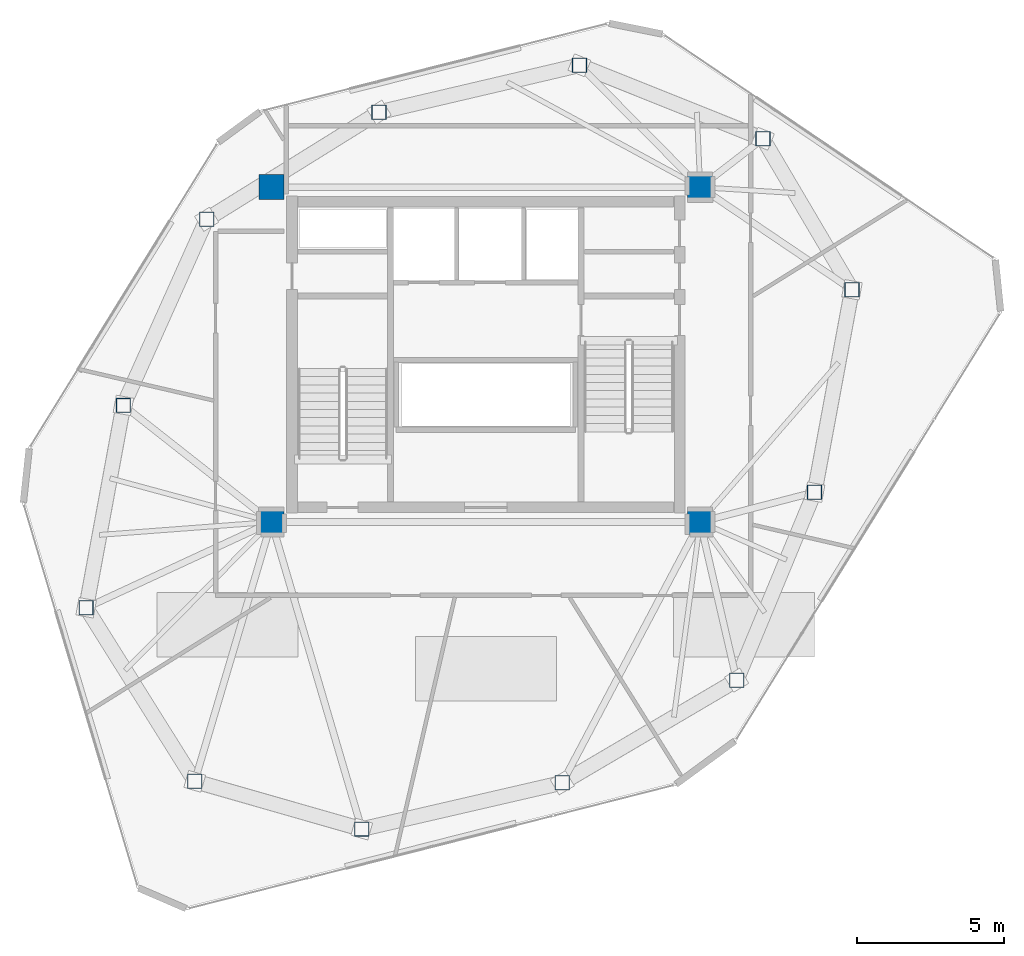
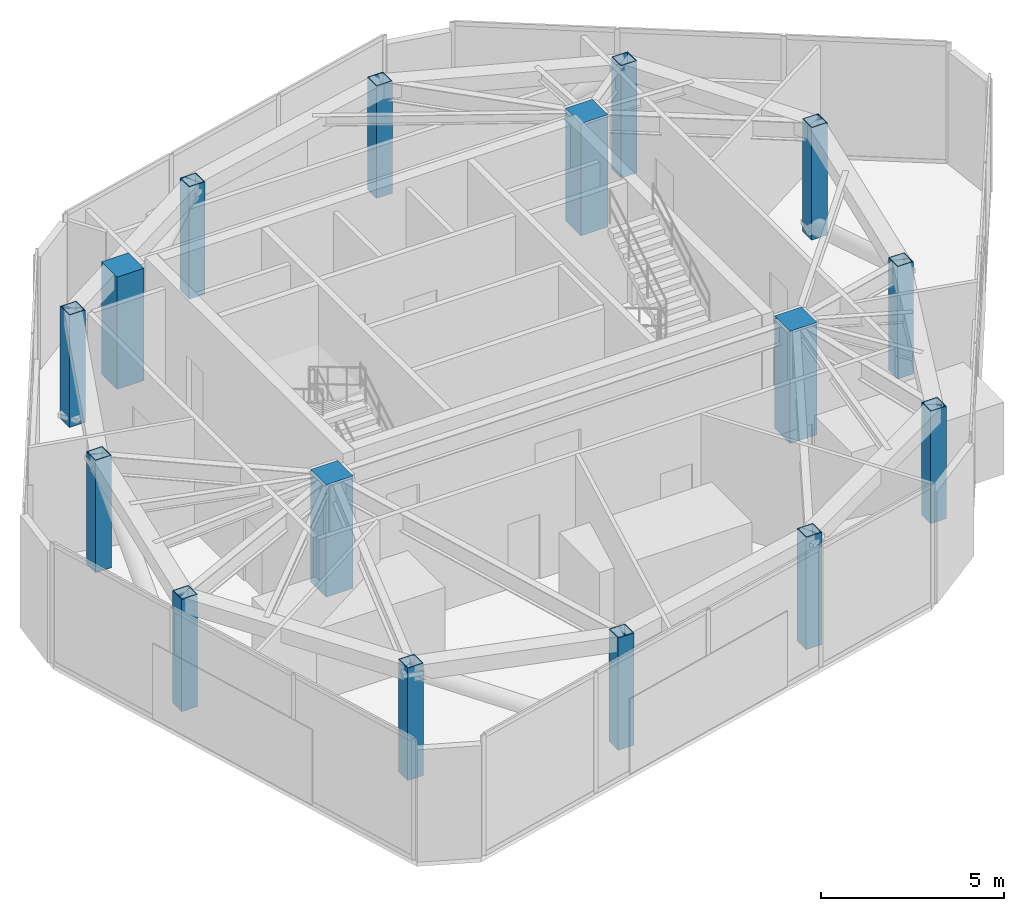
# One storey, part 1 of 21: 16 columns.
"""IFC4 building model written with IfcOpenShell, lengths in metres."""

from ifc_helpers import new_model, si_unit, direction, frame, origin, origin_2d, place, context, subcontext, project, spatial, rectangle, hollow_rectangle, extrude, material, material_profile, profile_set, type_object, element, save


model = new_model("IFC4")

# Units and contexts
model_context = context("Model", 3, precision=1e-05, world=origin(), true_north=direction((0.0, 1.0)))
body_context = subcontext(model_context, "Body", "Model", "MODEL_VIEW")
ifc_project = project(units=[si_unit("LENGTHUNIT", "METRE"), si_unit("AREAUNIT", "SQUARE_METRE"), si_unit("VOLUMEUNIT", "CUBIC_METRE"), si_unit("PLANEANGLEUNIT", "RADIAN"), si_unit("MASSUNIT", "GRAM", prefix="KILO")], contexts=[model_context])

# Site, building, storey
site_placement = place(None, origin())
site = spatial("IfcSite", under=ifc_project, at=site_placement, CompositionType="ELEMENT")
building_placement = place(site_placement, origin())
building = spatial("IfcBuilding", under=site, at=building_placement, Name="Talar Marvaseh", CompositionType="ELEMENT")
storey_placement = place(building_placement, frame((0.0, 0.0, 300.0)))
storey = spatial("IfcBuildingStorey", under=building, at=storey_placement, Name="L80", CompositionType="ELEMENT", Elevation=300.0)

# Columns
ifc_material_1 = material(Name="Steel S460", Category="steel")
ifc_material_profile_1 = material_profile(ifc_material_1, hollow_rectangle(XDim=0.5, YDim=0.5, WallThickness=0.02490234375, at=origin_2d()), Name="BOX500x500x25")
ifc_profile_set_1 = profile_set([ifc_material_profile_1], Name="Steel S460")
column_type_1 = type_object("IfcColumnType", Name="Crown Frame Structural Column BOX500x500x25", PredefinedType="COLUMN", material=ifc_profile_set_1)
for number, where, z_axis, x_axis, name in (
    (1, (12.388916015625, 22.576904296875, 0.0), (0.0, 0.0, 1.0), (1.0, 0.0, 0.0), "L80 Crown Frame Structural Column BOX500x500x25"),
    (2, (13.657958984375, 29.469970703125, 0.0), (0.0, 0.0, 1.0), (1.0, 0.0, 0.0), "L80 Crown Frame Structural Column BOX500x500x25"),
    (3, (16.493896484375, 35.806884765625, 0.0), (0.0, 0.0, 1.0), (1.0, 0.0, 0.0), "L80 Crown Frame Structural Column BOX500x500x25"),
    (4, (22.364990234375, 39.4541015625, 0.0), (0.0, 0.0, 1.0), (1.0, 0.0, 0.0), "L80 Crown Frame Structural Column BOX500x500x25"),
    (5, (29.18798828125, 41.052001953125, 0.0), (0.0, 0.0, 1.0), (1.0, 0.0, 0.0), "L80 Crown Frame Structural Column BOX500x500x25"),
    (6, (35.43798828125, 38.551025390625, 0.0), (0.0, 0.0, 1.0), (1.0, 0.0, 0.0), "L80 Crown Frame Structural Column BOX500x500x25"),
    (7, (38.470947265625, 33.406005859375, 0.0), (0.0, 0.0, 1.0), (1.0, 0.0, 0.0), "L80 Crown Frame Structural Column BOX500x500x25"),
    (8, (37.197021484375, 26.513916015625, 0.0), (0.0, 0.0, 1.0), (1.0, 0.0, 0.0), "L80 Crown Frame Structural Column BOX500x500x25"),
    (9, (34.5439453125, 20.111083984375, 0.0), (0.0, 0.0, 1.0), (1.0, 0.0, 0.0), "L80 Crown Frame Structural Column BOX500x500x25"),
    (10, (28.60498046875, 16.616943359375, 0.0), (0.0, 0.0, 1.0), (1.0, 0.0, 0.0), "L80 Crown Frame Structural Column BOX500x500x25"),
    (11, (21.77587890625, 15.0400390625, 0.0), (0.0, 0.0, 1.0), (1.0, 0.0, 0.0), "L80 Crown Frame Structural Column BOX500x500x25"),
    (12, (16.0869140625, 16.66796875, 0.0), (0.0, 0.0, 1.0), (1.0, 0.0, 0.0), "L80 Crown Frame Structural Column BOX500x500x25"),
):
    element("IfcColumn", number, at=place(storey_placement, frame(where, z_axis=z_axis, x_axis=x_axis)), inside=storey, type_object=column_type_1, Name=name, PredefinedType="COLUMN", context=body_context, shape_type="SweptSolid", body=[
        extrude(hollow_rectangle(XDim=0.5, YDim=0.5, WallThickness=0.02490234375, at=origin_2d()), origin(), (0.0, 0.0, 1.0), 3.739990234375),
    ])
ifc_material_2 = material(Name="Concrete C50/60", Category="concrete")
ifc_material_profile_2 = material_profile(ifc_material_2, rectangle(XDim=0.85009765625, YDim=0.85009765625, at=origin_2d()), Name="RC850x850")
ifc_profile_set_2 = profile_set([ifc_material_profile_2], Name="Concrete C50/60")
column_type_2 = type_object("IfcColumnType", Name="Zone 4 Tube Column RC850x850", PredefinedType="COLUMN", material=ifc_profile_set_2)
for number, where, z_axis, x_axis, name in (
    (13, (18.699951171875, 25.5, 0.0), (0.0, 0.0, 1.0), (1.0, 0.0, 0.0), "L80 Zone 4 Tube Column RC850x850"),
    (14, (33.300048828125, 25.5, 0.0), (0.0, 0.0, 1.0), (1.0, 0.0, 0.0), "L80 Zone 4 Tube Column RC850x850"),
    (15, (33.300048828125, 36.89990234375, 0.0), (0.0, 0.0, 1.0), (1.0, 0.0, 0.0), "L80 Zone 4 Tube Column RC850x850"),
    (16, (18.699951171875, 36.89990234375, 0.0), (0.0, 0.0, 1.0), (1.0, 0.0, 0.0), "L80 Zone 4 Tube Column RC850x850"),
):
    element("IfcColumn", number, at=place(storey_placement, frame(where, z_axis=z_axis, x_axis=x_axis)), inside=storey, type_object=column_type_2, Name=name, PredefinedType="COLUMN", context=body_context, shape_type="SweptSolid", body=[
        extrude(rectangle(XDim=0.85009765625, YDim=0.85009765625, at=origin_2d()), origin(), (0.0, 0.0, 1.0), 3.739990234375),
    ])

save(model, "model.ifc")
